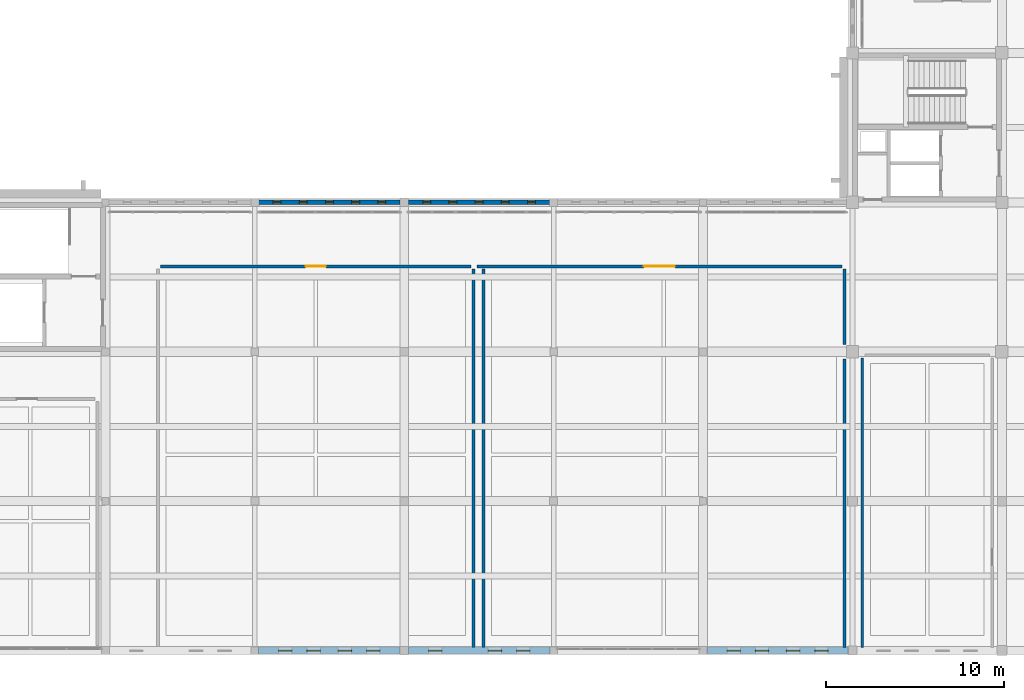
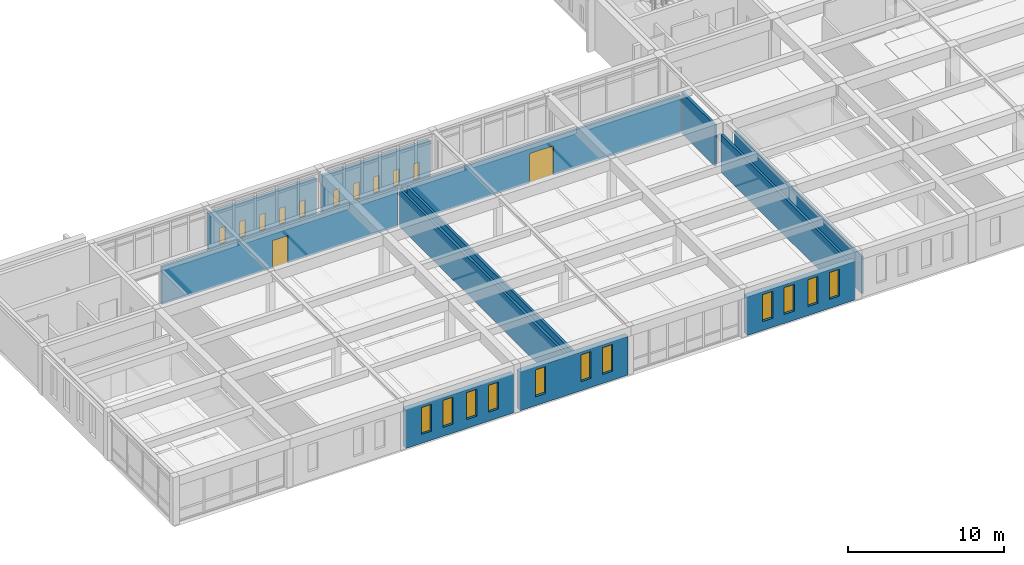
# One storey, part 85 of 110: 21 windows, 12 walls, 2 doors, 23 openings.
"""IFC4 building model written with IfcOpenShell, lengths in metres."""

import ifcopenshell
import ifcopenshell.guid

model = None  # the IFC model being written
_history = None  # IfcOwnerHistory: only IFC2X3 demands one
_inside = {}  # id of a spatial element -> (the spatial element, [elements in it])
_under = {}  # id of a project, library or spatial element -> (it, [spatial elements below it])
_declared = {}  # id of a project -> (the project, [libraries it declares])
_typed = {}  # id of a type object -> (the type object, [elements of that type])
_made_of = {}  # id of a material, layer set ... -> (it, [elements and type objects made of it])


def new_model(schema):
    """Start an empty IFC model of exactly this schema.

    Asked for "IFC4X3", IfcOpenShell would pick the latest addendum, in which some entities
    have other attributes; the version numbers below select the first issue.
    IFC2X3 requires an IfcOwnerHistory on every rooted entity: one is made here for all.
    """
    global model, _history
    if schema == "IFC4X3":
        model = ifcopenshell.file(schema_version=(4, 3, 0, 0))
    else:
        model = ifcopenshell.file(schema=schema)
    _inside.clear()
    _under.clear()
    _declared.clear()
    _typed.clear()
    _made_of.clear()
    _history = None
    if model.schema == "IFC2X3":
        org = make("IfcOrganization", Name="unknown")
        user = make(
            "IfcPersonAndOrganization",
            ThePerson=make("IfcPerson", FamilyName="unknown"),
            TheOrganization=org,
        )
        app = make(
            "IfcApplication",
            ApplicationDeveloper=org,
            Version="unknown",
            ApplicationFullName="unknown",
            ApplicationIdentifier="unknown",
        )
        _history = make(
            "IfcOwnerHistory",
            OwningUser=user,
            OwningApplication=app,
            ChangeAction="ADDED",
            CreationDate=0,
        )
    return model


def make(cls, **values):
    """One entity of the class cls with the attributes given. An attribute that is None is left unset."""
    return model.create_entity(
        cls, **{name: value for name, value in values.items() if value is not None}
    )


def rooted(cls, **values):
    """An entity with a GlobalId (a new one), such as an element, a storey or a relation."""
    return make(cls, GlobalId=ifcopenshell.guid.new(), OwnerHistory=_history, **values)


def si_unit(unit_type, name, prefix=None):
    """IfcSIUnit, for example si_unit("LENGTHUNIT", "METRE", prefix="MILLI")."""
    return make("IfcSIUnit", UnitType=unit_type, Prefix=prefix, Name=name)


def assignment(units):
    """IfcUnitAssignment: the units of a project."""
    return None if units is None else make("IfcUnitAssignment", Units=units)


def point(xyz):
    """IfcCartesianPoint."""
    return None if xyz is None else make("IfcCartesianPoint", Coordinates=xyz)


def direction(xyz):
    """IfcDirection."""
    return None if xyz is None else make("IfcDirection", DirectionRatios=xyz)


def frame(location, z_axis=None, x_axis=None):
    """IfcAxis2Placement3D, a coordinate frame: its origin and axes. An axis left out is left unset."""
    return make(
        "IfcAxis2Placement3D",
        Location=point(location),
        Axis=direction(z_axis),
        RefDirection=direction(x_axis),
    )


def frame_2d(location, x_axis=None):
    """IfcAxis2Placement2D, a coordinate frame in the plane: its origin and x axis."""
    return make(
        "IfcAxis2Placement2D", Location=point(location), RefDirection=direction(x_axis)
    )


def origin():
    """The frame at (0, 0, 0) with its axes left unset."""
    return frame((0.0, 0.0, 0.0))


def place(relative_to, where):
    """IfcLocalPlacement: puts the frame where relative to a parent placement (None: the world)."""
    return make(
        "IfcLocalPlacement", PlacementRelTo=relative_to, RelativePlacement=where
    )


def context(
    kind, dimensions, precision=None, world=None, true_north=None, identifier=None
):
    """IfcGeometricRepresentationContext, for example the 3D "Model" context."""
    return make(
        "IfcGeometricRepresentationContext",
        ContextIdentifier=identifier,
        ContextType=kind,
        CoordinateSpaceDimension=dimensions,
        Precision=precision,
        WorldCoordinateSystem=world,
        TrueNorth=true_north,
    )


def subcontext(parent, identifier, kind, view, scale=None):
    """IfcGeometricRepresentationSubContext, for example "Body" below "Model"."""
    return make(
        "IfcGeometricRepresentationSubContext",
        ContextIdentifier=identifier,
        ContextType=kind,
        ParentContext=parent,
        TargetScale=scale,
        TargetView=view,
    )


def project(units=None, contexts=None):
    """IfcProject with its units and contexts."""
    return rooted(
        "IfcProject",
        Name="project",
        RepresentationContexts=contexts,
        UnitsInContext=assignment(units),
    )


def spatial(cls, under=None, at=None, **own):
    """A site, building, storey or space (cls), placed at a placement, below another one or the project."""
    s = rooted(cls, ObjectPlacement=at, **own)
    if under is not None:
        _under.setdefault(under.id(), (under, []))[1].append(s)
    return s


def profile(cls, at=None, kind="AREA", **sizes):
    """A parametric profile (cls). Its sizes go by their IFC names, for example OverallWidth=200.0."""
    return make(cls, ProfileType=kind, Position=at, **sizes)


def rectangle(**sizes):
    """IfcRectangleProfileDef."""
    return profile("IfcRectangleProfileDef", **sizes)


def extrude(swept, where, along, depth):
    """IfcExtrudedAreaSolid: the profile swept, set in the frame where, extruded along a direction by depth."""
    return make(
        "IfcExtrudedAreaSolid",
        SweptArea=swept,
        Position=where,
        ExtrudedDirection=direction(along),
        Depth=depth,
    )


def shape(context_of_items, identifier, shape_type, items):
    """IfcShapeRepresentation: the items that make up one representation, for example the "Body"."""
    return make(
        "IfcShapeRepresentation",
        ContextOfItems=context_of_items,
        RepresentationIdentifier=identifier,
        RepresentationType=shape_type,
        Items=items,
    )


def material(Name=None, Category=None):
    """IfcMaterial."""
    return make("IfcMaterial", Name=Name, Category=Category)


def layer(
    of_material, thickness, ventilated=None, Name=None, Category=None, Priority=None
):
    """IfcMaterialLayer: one layer of a wall or slab, of a material (None: an air gap)."""
    return make(
        "IfcMaterialLayer",
        Material=of_material,
        LayerThickness=thickness,
        IsVentilated=ventilated,
        Name=Name,
        Category=Category,
        Priority=Priority,
    )


def layer_set(layers, Name=None):
    """IfcMaterialLayerSet."""
    return make("IfcMaterialLayerSet", MaterialLayers=layers, LayerSetName=Name)


def made_of(thing, what):
    """Note that an element or type object is made of a material, layer set ...; save() writes the relation."""
    if what is not None:
        _made_of.setdefault(what.id(), (what, []))[1].append(thing)
    return thing


def type_object(cls, material=None, **own):
    """A type object (cls), such as IfcWallType, which elements share."""
    return made_of(rooted(cls, **own), material)


def element(
    cls,
    number,
    at=None,
    inside=None,
    cuts=None,
    type_object=None,
    material=None,
    context=None,
    identifier="Body",
    shape_type=None,
    held_by="IfcProductDefinitionShape",
    body=None,
    shapes=None,
    **own,
):
    """One element of the class cls, such as IfcWall. Its Tag is "e" and its number.

    at: its placement. inside: the storey or other place that contains it. cuts: it is an
    opening in that element (IfcRelVoidsElement). A single representation is given by context,
    identifier, shape_type and body (its items); several are given by shapes. held_by: the class
    of the entity that holds the representations. save() writes the other relations.
    """
    e = rooted(cls, Tag="e%d" % number, ObjectPlacement=at, **own)
    if body is not None:
        shapes = [shape(context, identifier, shape_type, body)]
    if shapes is not None:
        e.Representation = make(held_by, Representations=shapes)
    if inside is not None:
        _inside.setdefault(inside.id(), (inside, []))[1].append(e)
    if cuts is not None:
        rooted(
            "IfcRelVoidsElement", RelatingBuildingElement=cuts, RelatedOpeningElement=e
        )
    if type_object is not None:
        _typed.setdefault(type_object.id(), (type_object, []))[1].append(e)
    return made_of(e, material)


def fill(opening, filler):
    """IfcRelFillsElement: the door or window that sits in an opening."""
    return rooted(
        "IfcRelFillsElement",
        RelatingOpeningElement=opening,
        RelatedBuildingElement=filler,
    )


def aggregate(whole, parts):
    """IfcRelAggregates: a whole, such as a stair, and the parts it consists of."""
    return rooted("IfcRelAggregates", RelatingObject=whole, RelatedObjects=parts)


def save(model, path):
    """Write the relations noted so far, then the file.

    IfcRelAggregates (storeys below a building ...), IfcRelContainedInSpatialStructure (elements
    in a storey), IfcRelDefinesByType, IfcRelAssociatesMaterial and IfcRelDeclares: one each for
    every whole, place, type object, material and project.
    """
    for whole, parts in _under.values():
        aggregate(whole, parts)
    for where, things in _inside.values():
        rooted(
            "IfcRelContainedInSpatialStructure",
            RelatedElements=things,
            RelatingStructure=where,
        )
    for kind, things in _typed.values():
        rooted("IfcRelDefinesByType", RelatedObjects=things, RelatingType=kind)
    for what, things in _made_of.values():
        rooted("IfcRelAssociatesMaterial", RelatedObjects=things, RelatingMaterial=what)
    for by, libraries in _declared.values():
        rooted("IfcRelDeclares", RelatingContext=by, RelatedDefinitions=libraries)
    model.write(path)


model = new_model("IFC4")

# Units and contexts
model_context = context("Model", 3, precision=1e-05, world=origin(), true_north=direction((0.0, 1.0)))
body_context = subcontext(model_context, "Body", "Model", "MODEL_VIEW")
ifc_project = project(units=[si_unit("LENGTHUNIT", "METRE"), si_unit("AREAUNIT", "SQUARE_METRE"), si_unit("VOLUMEUNIT", "CUBIC_METRE"), si_unit("PLANEANGLEUNIT", "RADIAN"), si_unit("MASSUNIT", "GRAM", prefix="KILO")], contexts=[model_context])

# Site, building, storey
site_placement = place(None, origin())
site = spatial("IfcSite", under=ifc_project, at=site_placement, CompositionType="ELEMENT")
building_placement = place(site_placement, origin())
building = spatial("IfcBuilding", under=site, at=building_placement, Name="Kveldsbrygga Polytechnic", CompositionType="ELEMENT")
storey_placement = place(building_placement, frame((0.0, 0.0, 9.860107421875)))
storey = spatial("IfcBuildingStorey", under=building, at=storey_placement, Name="L02", CompositionType="ELEMENT", Elevation=9.860107421875)

# Wall, openings, windows
ifc_material_1 = material(Name="Fired clay brick masonry M10", Category="masonry")
ifc_layer_1 = layer(ifc_material_1, 0.3798828125)
ifc_layer_set_1 = layer_set([ifc_layer_1], Name="Fired clay brick masonry M10")
wall_type_1 = type_object("IfcWallType", Name="EW-BRICK-380", PredefinedType="SOLIDWALL", material=ifc_layer_set_1)
wall_1_placement = place(storey_placement, frame((92.594970703125, 0.0, 0.0), z_axis=(0.0, 0.0, 1.0), x_axis=(1.0, 0.0, 0.0)))
wall_1 = element("IfcWall", 1, at=wall_1_placement, inside=storey, type_object=wall_type_1, Name="Exterior Brick Wall EW-L02-X-11-00", PredefinedType="SOLIDWALL", context=body_context, shape_type="SweptSolid", body=[
    extrude(rectangle(XDim=7.97998046875, YDim=0.3798828125, at=frame_2d((3.989990234375, 0.0))), origin(), (0.0, 0.0, 1.0), 3.019775390625),
])
opening_1_placement = place(wall_1_placement, frame((1.14111328125, 0.0, 0.699951171875)))
opening_1 = element("IfcOpeningElement", 2, at=opening_1_placement, cuts=wall_1, Name="Opening W-27", PredefinedType="OPENING", context=body_context, shape_type="SweptSolid", body=[
    extrude(rectangle(XDim=0.75, YDim=2.10009765625, at=frame_2d((0.375, 1.050048828125))), frame((0.0, 0.199951171875, 0.0), z_axis=(0.0, -1.0, 0.0), x_axis=(1.0, 0.0, 0.0)), (0.0, 0.0, 1.0), 0.39990234375),
])
opening_2_placement = place(wall_1_placement, frame((2.7373046875, 0.0, 0.699951171875)))
opening_2 = element("IfcOpeningElement", 3, at=opening_2_placement, cuts=wall_1, Name="Opening W-27", PredefinedType="OPENING", context=body_context, shape_type="SweptSolid", body=[
    extrude(rectangle(XDim=0.75, YDim=2.10009765625, at=frame_2d((0.375, 1.050048828125))), frame((0.0, 0.199951171875, 0.0), z_axis=(0.0, -1.0, 0.0), x_axis=(1.0, 0.0, 0.0)), (0.0, 0.0, 1.0), 0.39990234375),
])
opening_3_placement = place(wall_1_placement, frame((4.492919921875, 0.0, 0.699951171875)))
opening_3 = element("IfcOpeningElement", 4, at=opening_3_placement, cuts=wall_1, Name="Opening W-27", PredefinedType="OPENING", context=body_context, shape_type="SweptSolid", body=[
    extrude(rectangle(XDim=0.75, YDim=2.10009765625, at=frame_2d((0.375, 1.050048828125))), frame((0.0, 0.199951171875, 0.0), z_axis=(0.0, -1.0, 0.0), x_axis=(1.0, 0.0, 0.0)), (0.0, 0.0, 1.0), 0.39990234375),
])
opening_4_placement = place(wall_1_placement, frame((6.0888671875, 0.0, 0.699951171875)))
opening_4 = element("IfcOpeningElement", 5, at=opening_4_placement, cuts=wall_1, Name="Opening W-27", PredefinedType="OPENING", context=body_context, shape_type="SweptSolid", body=[
    extrude(rectangle(XDim=0.75, YDim=2.10009765625, at=frame_2d((0.375, 1.050048828125))), frame((0.0, 0.199951171875, 0.0), z_axis=(0.0, -1.0, 0.0), x_axis=(1.0, 0.0, 0.0)), (0.0, 0.0, 1.0), 0.39990234375),
])
ifc_material_2 = material(Name="Insulated triple low-E glass", Category="glass")
window_type_1 = type_object("IfcWindowType", Name="WN-ATTIC-075x210", PartitioningType="DOUBLE_PANEL_VERTICAL", PredefinedType="WINDOW", material=ifc_material_2)
window_1_placement = place(opening_1_placement, origin())
window_1 = element("IfcWindow", 6, at=window_1_placement, inside=storey, type_object=window_type_1, Name="Gothic Lancet Window WIN-L02-X-11-00-1", OverallHeight=2.10009765625, OverallWidth=0.75, PartitioningType="DOUBLE_PANEL_VERTICAL", PredefinedType="WINDOW", context=body_context, shape_type="SweptSolid", body=[
    extrude(rectangle(XDim=0.75, YDim=2.10009765625, at=frame_2d((0.375, 1.050048828125))), frame((0.0, 0.030029296875, 0.0), z_axis=(0.0, -1.0, 0.0), x_axis=(1.0, 0.0, 0.0)), (0.0, 0.0, 1.0), 0.06005859375),
])
fill(opening_1, window_1)
window_2_placement = place(opening_2_placement, origin())
window_2 = element("IfcWindow", 7, at=window_2_placement, inside=storey, type_object=window_type_1, Name="Gothic Lancet Window WIN-L02-X-11-00-2", OverallHeight=2.10009765625, OverallWidth=0.75, PartitioningType="DOUBLE_PANEL_VERTICAL", PredefinedType="WINDOW", context=body_context, shape_type="SweptSolid", body=[
    extrude(rectangle(XDim=0.75, YDim=2.10009765625, at=frame_2d((0.375, 1.050048828125))), frame((0.0, 0.030029296875, 0.0), z_axis=(0.0, -1.0, 0.0), x_axis=(1.0, 0.0, 0.0)), (0.0, 0.0, 1.0), 0.06005859375),
])
fill(opening_2, window_2)
window_3_placement = place(opening_3_placement, origin())
window_3 = element("IfcWindow", 8, at=window_3_placement, inside=storey, type_object=window_type_1, Name="Gothic Lancet Window WIN-L02-X-11-00-3", OverallHeight=2.10009765625, OverallWidth=0.75, PartitioningType="DOUBLE_PANEL_VERTICAL", PredefinedType="WINDOW", context=body_context, shape_type="SweptSolid", body=[
    extrude(rectangle(XDim=0.75, YDim=2.10009765625, at=frame_2d((0.375, 1.050048828125))), frame((0.0, 0.030029296875, 0.0), z_axis=(0.0, -1.0, 0.0), x_axis=(1.0, 0.0, 0.0)), (0.0, 0.0, 1.0), 0.06005859375),
])
fill(opening_3, window_3)
window_4_placement = place(opening_4_placement, origin())
window_4 = element("IfcWindow", 9, at=window_4_placement, inside=storey, type_object=window_type_1, Name="Gothic Lancet Window WIN-L02-X-11-00-4", OverallHeight=2.10009765625, OverallWidth=0.75, PartitioningType="DOUBLE_PANEL_VERTICAL", PredefinedType="WINDOW", context=body_context, shape_type="SweptSolid", body=[
    extrude(rectangle(XDim=0.75, YDim=2.10009765625, at=frame_2d((0.375, 1.050048828125))), frame((0.0, 0.030029296875, 0.0), z_axis=(0.0, -1.0, 0.0), x_axis=(1.0, 0.0, 0.0)), (0.0, 0.0, 1.0), 0.06005859375),
])
fill(opening_4, window_4)

ifc_layer_2 = layer(ifc_material_1, 0.39990234375)
ifc_layer_set_2 = layer_set([ifc_layer_2], Name="Fired clay brick masonry M10")
wall_type_2 = type_object("IfcWallType", Name="EW-BRICK-400", PredefinedType="SOLIDWALL", material=ifc_layer_set_2)
wall_2_placement = place(storey_placement, frame((101.02490234375, 0.0, 0.0), z_axis=(0.0, 0.0, 1.0), x_axis=(1.0, 0.0, 0.0)))
wall_2 = element("IfcWall", 10, at=wall_2_placement, inside=storey, type_object=wall_type_2, Name="Exterior Brick Wall EW-L02-X-12-00", PredefinedType="SOLIDWALL", context=body_context, shape_type="SweptSolid", body=[
    extrude(rectangle(XDim=7.97998046875, YDim=0.39990234375, at=frame_2d((3.989990234375, 0.0))), origin(), (0.0, 0.0, 1.0), 3.019775390625),
])
opening_5_placement = place(wall_2_placement, frame((1.14111328125, 0.0, 0.699951171875)))
opening_5 = element("IfcOpeningElement", 11, at=opening_5_placement, cuts=wall_2, Name="Opening W-27", PredefinedType="OPENING", context=body_context, shape_type="SweptSolid", body=[
    extrude(rectangle(XDim=0.75, YDim=2.10009765625, at=frame_2d((0.375, 1.050048828125))), frame((0.0, 0.2099609375, 0.0), z_axis=(0.0, -1.0, 0.0), x_axis=(1.0, 0.0, 0.0)), (0.0, 0.0, 1.0), 0.419921875),
])
opening_6_placement = place(wall_2_placement, frame((4.492919921875, 0.0, 0.699951171875)))
opening_6 = element("IfcOpeningElement", 12, at=opening_6_placement, cuts=wall_2, Name="Opening W-27", PredefinedType="OPENING", context=body_context, shape_type="SweptSolid", body=[
    extrude(rectangle(XDim=0.75, YDim=2.10009765625, at=frame_2d((0.375, 1.050048828125))), frame((0.0, 0.2099609375, 0.0), z_axis=(0.0, -1.0, 0.0), x_axis=(1.0, 0.0, 0.0)), (0.0, 0.0, 1.0), 0.419921875),
])
opening_7_placement = place(wall_2_placement, frame((6.0888671875, 0.0, 0.699951171875)))
opening_7 = element("IfcOpeningElement", 13, at=opening_7_placement, cuts=wall_2, Name="Opening W-27", PredefinedType="OPENING", context=body_context, shape_type="SweptSolid", body=[
    extrude(rectangle(XDim=0.75, YDim=2.10009765625, at=frame_2d((0.375, 1.050048828125))), frame((0.0, 0.2099609375, 0.0), z_axis=(0.0, -1.0, 0.0), x_axis=(1.0, 0.0, 0.0)), (0.0, 0.0, 1.0), 0.419921875),
])
window_5_placement = place(opening_5_placement, origin())
window_5 = element("IfcWindow", 14, at=window_5_placement, inside=storey, type_object=window_type_1, Name="Gothic Lancet Window WIN-L02-X-12-00-1", OverallHeight=2.10009765625, OverallWidth=0.75, PartitioningType="DOUBLE_PANEL_VERTICAL", PredefinedType="WINDOW", context=body_context, shape_type="SweptSolid", body=[
    extrude(rectangle(XDim=0.75, YDim=2.10009765625, at=frame_2d((0.375, 1.050048828125))), frame((0.0, 0.030029296875, 0.0), z_axis=(0.0, -1.0, 0.0), x_axis=(1.0, 0.0, 0.0)), (0.0, 0.0, 1.0), 0.06005859375),
])
fill(opening_5, window_5)
window_6_placement = place(opening_6_placement, origin())
window_6 = element("IfcWindow", 15, at=window_6_placement, inside=storey, type_object=window_type_1, Name="Gothic Lancet Window WIN-L02-X-12-00-3", OverallHeight=2.10009765625, OverallWidth=0.75, PartitioningType="DOUBLE_PANEL_VERTICAL", PredefinedType="WINDOW", context=body_context, shape_type="SweptSolid", body=[
    extrude(rectangle(XDim=0.75, YDim=2.10009765625, at=frame_2d((0.375, 1.050048828125))), frame((0.0, 0.030029296875, 0.0), z_axis=(0.0, -1.0, 0.0), x_axis=(1.0, 0.0, 0.0)), (0.0, 0.0, 1.0), 0.06005859375),
])
fill(opening_6, window_6)
window_7_placement = place(opening_7_placement, origin())
window_7 = element("IfcWindow", 16, at=window_7_placement, inside=storey, type_object=window_type_1, Name="Gothic Lancet Window WIN-L02-X-12-00-4", OverallHeight=2.10009765625, OverallWidth=0.75, PartitioningType="DOUBLE_PANEL_VERTICAL", PredefinedType="WINDOW", context=body_context, shape_type="SweptSolid", body=[
    extrude(rectangle(XDim=0.75, YDim=2.10009765625, at=frame_2d((0.375, 1.050048828125))), frame((0.0, 0.030029296875, 0.0), z_axis=(0.0, -1.0, 0.0), x_axis=(1.0, 0.0, 0.0)), (0.0, 0.0, 1.0), 0.06005859375),
])
fill(opening_7, window_7)

wall_3_placement = place(storey_placement, frame((117.81005859375, 0.0, 0.0), z_axis=(0.0, 0.0, 1.0), x_axis=(1.0, 0.0, 0.0)))
wall_3 = element("IfcWall", 17, at=wall_3_placement, inside=storey, type_object=wall_type_2, Name="Exterior Brick Wall EW-L02-X-14-00", PredefinedType="SOLIDWALL", context=body_context, shape_type="SweptSolid", body=[
    extrude(rectangle(XDim=7.954833984375, YDim=0.39990234375, at=frame_2d((3.9775390625, 0.0))), origin(), (0.0, 0.0, 1.0), 3.019775390625),
])
opening_8_placement = place(wall_3_placement, frame((1.136474609375, 0.0, 0.699951171875)))
opening_8 = element("IfcOpeningElement", 18, at=opening_8_placement, cuts=wall_3, Name="Opening W-27", PredefinedType="OPENING", context=body_context, shape_type="SweptSolid", body=[
    extrude(rectangle(XDim=0.75, YDim=2.10009765625, at=frame_2d((0.375, 1.050048828125))), frame((0.0, 0.2099609375, 0.0), z_axis=(0.0, -1.0, 0.0), x_axis=(1.0, 0.0, 0.0)), (0.0, 0.0, 1.0), 0.419921875),
])
opening_9_placement = place(wall_3_placement, frame((2.7275390625, 0.0, 0.699951171875)))
opening_9 = element("IfcOpeningElement", 19, at=opening_9_placement, cuts=wall_3, Name="Opening W-27", PredefinedType="OPENING", context=body_context, shape_type="SweptSolid", body=[
    extrude(rectangle(XDim=0.75, YDim=2.10009765625, at=frame_2d((0.375, 1.050048828125))), frame((0.0, 0.2099609375, 0.0), z_axis=(0.0, -1.0, 0.0), x_axis=(1.0, 0.0, 0.0)), (0.0, 0.0, 1.0), 0.419921875),
])
opening_10_placement = place(wall_3_placement, frame((4.4775390625, 0.0, 0.699951171875)))
opening_10 = element("IfcOpeningElement", 20, at=opening_10_placement, cuts=wall_3, Name="Opening W-27", PredefinedType="OPENING", context=body_context, shape_type="SweptSolid", body=[
    extrude(rectangle(XDim=0.75, YDim=2.10009765625, at=frame_2d((0.375, 1.050048828125))), frame((0.0, 0.2099609375, 0.0), z_axis=(0.0, -1.0, 0.0), x_axis=(1.0, 0.0, 0.0)), (0.0, 0.0, 1.0), 0.419921875),
])
opening_11_placement = place(wall_3_placement, frame((6.068603515625, 0.0, 0.699951171875)))
opening_11 = element("IfcOpeningElement", 21, at=opening_11_placement, cuts=wall_3, Name="Opening W-27", PredefinedType="OPENING", context=body_context, shape_type="SweptSolid", body=[
    extrude(rectangle(XDim=0.75, YDim=2.10009765625, at=frame_2d((0.375, 1.050048828125))), frame((0.0, 0.2099609375, 0.0), z_axis=(0.0, -1.0, 0.0), x_axis=(1.0, 0.0, 0.0)), (0.0, 0.0, 1.0), 0.419921875),
])
window_8_placement = place(opening_8_placement, origin())
window_8 = element("IfcWindow", 22, at=window_8_placement, inside=storey, type_object=window_type_1, Name="Gothic Lancet Window WIN-L02-X-14-00-1", OverallHeight=2.10009765625, OverallWidth=0.75, PartitioningType="DOUBLE_PANEL_VERTICAL", PredefinedType="WINDOW", context=body_context, shape_type="SweptSolid", body=[
    extrude(rectangle(XDim=0.75, YDim=2.10009765625, at=frame_2d((0.375, 1.050048828125))), frame((0.0, 0.030029296875, 0.0), z_axis=(0.0, -1.0, 0.0), x_axis=(1.0, 0.0, 0.0)), (0.0, 0.0, 1.0), 0.06005859375),
])
fill(opening_8, window_8)
window_9_placement = place(opening_9_placement, origin())
window_9 = element("IfcWindow", 23, at=window_9_placement, inside=storey, type_object=window_type_1, Name="Gothic Lancet Window WIN-L02-X-14-00-2", OverallHeight=2.10009765625, OverallWidth=0.75, PartitioningType="DOUBLE_PANEL_VERTICAL", PredefinedType="WINDOW", context=body_context, shape_type="SweptSolid", body=[
    extrude(rectangle(XDim=0.75, YDim=2.10009765625, at=frame_2d((0.375, 1.050048828125))), frame((0.0, 0.030029296875, 0.0), z_axis=(0.0, -1.0, 0.0), x_axis=(1.0, 0.0, 0.0)), (0.0, 0.0, 1.0), 0.06005859375),
])
fill(opening_9, window_9)
window_10_placement = place(opening_10_placement, origin())
window_10 = element("IfcWindow", 24, at=window_10_placement, inside=storey, type_object=window_type_1, Name="Gothic Lancet Window WIN-L02-X-14-00-3", OverallHeight=2.10009765625, OverallWidth=0.75, PartitioningType="DOUBLE_PANEL_VERTICAL", PredefinedType="WINDOW", context=body_context, shape_type="SweptSolid", body=[
    extrude(rectangle(XDim=0.75, YDim=2.10009765625, at=frame_2d((0.375, 1.050048828125))), frame((0.0, 0.030029296875, 0.0), z_axis=(0.0, -1.0, 0.0), x_axis=(1.0, 0.0, 0.0)), (0.0, 0.0, 1.0), 0.06005859375),
])
fill(opening_10, window_10)
window_11_placement = place(opening_11_placement, origin())
window_11 = element("IfcWindow", 25, at=window_11_placement, inside=storey, type_object=window_type_1, Name="Gothic Lancet Window WIN-L02-X-14-00-4", OverallHeight=2.10009765625, OverallWidth=0.75, PartitioningType="DOUBLE_PANEL_VERTICAL", PredefinedType="WINDOW", context=body_context, shape_type="SweptSolid", body=[
    extrude(rectangle(XDim=0.75, YDim=2.10009765625, at=frame_2d((0.375, 1.050048828125))), frame((0.0, 0.030029296875, 0.0), z_axis=(0.0, -1.0, 0.0), x_axis=(1.0, 0.0, 0.0)), (0.0, 0.0, 1.0), 0.06005859375),
])
fill(opening_11, window_11)

ifc_layer_3 = layer(ifc_material_1, 0.239990234375)
ifc_layer_set_3 = layer_set([ifc_layer_3], Name="Fired clay brick masonry M10")
wall_type_3 = type_object("IfcWallType", Name="EW-SCRN-240", PredefinedType="SOLIDWALL", material=ifc_layer_set_3)
wall_4_placement = place(storey_placement, frame((92.610107421875, 25.199951171875, 0.0), z_axis=(0.0, 0.0, 1.0), x_axis=(1.0, 0.0, 0.0)))
wall_4 = element("IfcWall", 26, at=wall_4_placement, inside=storey, type_object=wall_type_3, Name="Perforated Brick Corridor Screen Wall SCRW-L02-X-11-03", PredefinedType="SOLIDWALL", context=body_context, shape_type="SweptSolid", body=[
    extrude(rectangle(XDim=7.96484375, YDim=0.239990234375, at=frame_2d((3.982421875, 0.0))), origin(), (0.0, 0.0, 1.0), 3.010009765625),
])
opening_12_placement = place(wall_4_placement, frame((0.81640625, 0.0, 0.35009765625)))
opening_12 = element("IfcOpeningElement", 27, at=opening_12_placement, cuts=wall_4, Name="Opening W-48", PredefinedType="OPENING", context=body_context, shape_type="SweptSolid", body=[
    extrude(rectangle(XDim=0.43994140625, YDim=1.25, at=frame_2d((0.219970703125, 0.625))), frame((0.0, 0.1298828125, 0.0), z_axis=(0.0, -1.0, 0.0), x_axis=(1.0, 0.0, 0.0)), (0.0, 0.0, 1.0), 0.260009765625),
])
opening_13_placement = place(wall_4_placement, frame((2.28955078125, 0.0, 0.35009765625)))
opening_13 = element("IfcOpeningElement", 28, at=opening_13_placement, cuts=wall_4, Name="Opening W-48", PredefinedType="OPENING", context=body_context, shape_type="SweptSolid", body=[
    extrude(rectangle(XDim=0.43994140625, YDim=1.25, at=frame_2d((0.219970703125, 0.625))), frame((0.0, 0.1298828125, 0.0), z_axis=(0.0, -1.0, 0.0), x_axis=(1.0, 0.0, 0.0)), (0.0, 0.0, 1.0), 0.260009765625),
])
opening_14_placement = place(wall_4_placement, frame((3.762451171875, 0.0, 0.35009765625)))
opening_14 = element("IfcOpeningElement", 29, at=opening_14_placement, cuts=wall_4, Name="Opening W-48", PredefinedType="OPENING", context=body_context, shape_type="SweptSolid", body=[
    extrude(rectangle(XDim=0.43994140625, YDim=1.25, at=frame_2d((0.219970703125, 0.625))), frame((0.0, 0.1298828125, 0.0), z_axis=(0.0, -1.0, 0.0), x_axis=(1.0, 0.0, 0.0)), (0.0, 0.0, 1.0), 0.260009765625),
])
opening_15_placement = place(wall_4_placement, frame((5.235595703125, 0.0, 0.35009765625)))
opening_15 = element("IfcOpeningElement", 30, at=opening_15_placement, cuts=wall_4, Name="Opening W-48", PredefinedType="OPENING", context=body_context, shape_type="SweptSolid", body=[
    extrude(rectangle(XDim=0.43994140625, YDim=1.25, at=frame_2d((0.219970703125, 0.625))), frame((0.0, 0.1298828125, 0.0), z_axis=(0.0, -1.0, 0.0), x_axis=(1.0, 0.0, 0.0)), (0.0, 0.0, 1.0), 0.260009765625),
])
opening_16_placement = place(wall_4_placement, frame((6.70849609375, 0.0, 0.35009765625)))
opening_16 = element("IfcOpeningElement", 31, at=opening_16_placement, cuts=wall_4, Name="Opening W-48", PredefinedType="OPENING", context=body_context, shape_type="SweptSolid", body=[
    extrude(rectangle(XDim=0.43994140625, YDim=1.25, at=frame_2d((0.219970703125, 0.625))), frame((0.0, 0.1298828125, 0.0), z_axis=(0.0, -1.0, 0.0), x_axis=(1.0, 0.0, 0.0)), (0.0, 0.0, 1.0), 0.260009765625),
])
window_type_2 = type_object("IfcWindowType", Name="WN-SCRN-044x125", PartitioningType="SINGLE_PANEL", PredefinedType="WINDOW", material=ifc_material_2)
window_12_placement = place(opening_12_placement, origin())
window_12 = element("IfcWindow", 32, at=window_12_placement, inside=storey, type_object=window_type_2, Name="Perforated Screen Aperture L02-X-11-03-1", OverallHeight=1.25, OverallWidth=0.43994140625, PartitioningType="SINGLE_PANEL", PredefinedType="WINDOW", context=body_context, shape_type="SweptSolid", body=[
    extrude(rectangle(XDim=0.43994140625, YDim=1.25, at=frame_2d((0.219970703125, 0.625))), frame((0.0, 0.030029296875, 0.0), z_axis=(0.0, -1.0, 0.0), x_axis=(1.0, 0.0, 0.0)), (0.0, 0.0, 1.0), 0.06005859375),
])
fill(opening_12, window_12)
window_13_placement = place(opening_13_placement, origin())
window_13 = element("IfcWindow", 33, at=window_13_placement, inside=storey, type_object=window_type_2, Name="Perforated Screen Aperture L02-X-11-03-2", OverallHeight=1.25, OverallWidth=0.43994140625, PartitioningType="SINGLE_PANEL", PredefinedType="WINDOW", context=body_context, shape_type="SweptSolid", body=[
    extrude(rectangle(XDim=0.43994140625, YDim=1.25, at=frame_2d((0.219970703125, 0.625))), frame((0.0, 0.030029296875, 0.0), z_axis=(0.0, -1.0, 0.0), x_axis=(1.0, 0.0, 0.0)), (0.0, 0.0, 1.0), 0.06005859375),
])
fill(opening_13, window_13)
window_14_placement = place(opening_14_placement, origin())
window_14 = element("IfcWindow", 34, at=window_14_placement, inside=storey, type_object=window_type_2, Name="Perforated Screen Aperture L02-X-11-03-3", OverallHeight=1.25, OverallWidth=0.43994140625, PartitioningType="SINGLE_PANEL", PredefinedType="WINDOW", context=body_context, shape_type="SweptSolid", body=[
    extrude(rectangle(XDim=0.43994140625, YDim=1.25, at=frame_2d((0.219970703125, 0.625))), frame((0.0, 0.030029296875, 0.0), z_axis=(0.0, -1.0, 0.0), x_axis=(1.0, 0.0, 0.0)), (0.0, 0.0, 1.0), 0.06005859375),
])
fill(opening_14, window_14)
window_15_placement = place(opening_15_placement, origin())
window_15 = element("IfcWindow", 35, at=window_15_placement, inside=storey, type_object=window_type_2, Name="Perforated Screen Aperture L02-X-11-03-4", OverallHeight=1.25, OverallWidth=0.43994140625, PartitioningType="SINGLE_PANEL", PredefinedType="WINDOW", context=body_context, shape_type="SweptSolid", body=[
    extrude(rectangle(XDim=0.43994140625, YDim=1.25, at=frame_2d((0.219970703125, 0.625))), frame((0.0, 0.030029296875, 0.0), z_axis=(0.0, -1.0, 0.0), x_axis=(1.0, 0.0, 0.0)), (0.0, 0.0, 1.0), 0.06005859375),
])
fill(opening_15, window_15)
window_16_placement = place(opening_16_placement, origin())
window_16 = element("IfcWindow", 36, at=window_16_placement, inside=storey, type_object=window_type_2, Name="Perforated Screen Aperture L02-X-11-03-5", OverallHeight=1.25, OverallWidth=0.43994140625, PartitioningType="SINGLE_PANEL", PredefinedType="WINDOW", context=body_context, shape_type="SweptSolid", body=[
    extrude(rectangle(XDim=0.43994140625, YDim=1.25, at=frame_2d((0.219970703125, 0.625))), frame((0.0, 0.030029296875, 0.0), z_axis=(0.0, -1.0, 0.0), x_axis=(1.0, 0.0, 0.0)), (0.0, 0.0, 1.0), 0.06005859375),
])
fill(opening_16, window_16)

wall_5_placement = place(storey_placement, frame((101.02490234375, 25.199951171875, 0.0), z_axis=(0.0, 0.0, 1.0), x_axis=(1.0, 0.0, 0.0)))
wall_5 = element("IfcWall", 37, at=wall_5_placement, inside=storey, type_object=wall_type_3, Name="Perforated Brick Corridor Screen Wall SCRW-L02-X-12-03", PredefinedType="SOLIDWALL", context=body_context, shape_type="SweptSolid", body=[
    extrude(rectangle(XDim=7.965087890625, YDim=0.239990234375, at=frame_2d((3.982421875, 0.0))), origin(), (0.0, 0.0, 1.0), 3.010009765625),
])
opening_17_placement = place(wall_5_placement, frame((0.81640625, 0.0, 0.35009765625)))
opening_17 = element("IfcOpeningElement", 38, at=opening_17_placement, cuts=wall_5, Name="Opening W-48", PredefinedType="OPENING", context=body_context, shape_type="SweptSolid", body=[
    extrude(rectangle(XDim=0.43994140625, YDim=1.25, at=frame_2d((0.219970703125, 0.625))), frame((0.0, 0.1298828125, 0.0), z_axis=(0.0, -1.0, 0.0), x_axis=(1.0, 0.0, 0.0)), (0.0, 0.0, 1.0), 0.260009765625),
])
opening_18_placement = place(wall_5_placement, frame((2.28955078125, 0.0, 0.35009765625)))
opening_18 = element("IfcOpeningElement", 39, at=opening_18_placement, cuts=wall_5, Name="Opening W-48", PredefinedType="OPENING", context=body_context, shape_type="SweptSolid", body=[
    extrude(rectangle(XDim=0.43994140625, YDim=1.25, at=frame_2d((0.219970703125, 0.625))), frame((0.0, 0.1298828125, 0.0), z_axis=(0.0, -1.0, 0.0), x_axis=(1.0, 0.0, 0.0)), (0.0, 0.0, 1.0), 0.260009765625),
])
opening_19_placement = place(wall_5_placement, frame((3.762451171875, 0.0, 0.35009765625)))
opening_19 = element("IfcOpeningElement", 40, at=opening_19_placement, cuts=wall_5, Name="Opening W-48", PredefinedType="OPENING", context=body_context, shape_type="SweptSolid", body=[
    extrude(rectangle(XDim=0.43994140625, YDim=1.25, at=frame_2d((0.219970703125, 0.625))), frame((0.0, 0.1298828125, 0.0), z_axis=(0.0, -1.0, 0.0), x_axis=(1.0, 0.0, 0.0)), (0.0, 0.0, 1.0), 0.260009765625),
])
opening_20_placement = place(wall_5_placement, frame((5.235595703125, 0.0, 0.35009765625)))
opening_20 = element("IfcOpeningElement", 41, at=opening_20_placement, cuts=wall_5, Name="Opening W-48", PredefinedType="OPENING", context=body_context, shape_type="SweptSolid", body=[
    extrude(rectangle(XDim=0.43994140625, YDim=1.25, at=frame_2d((0.219970703125, 0.625))), frame((0.0, 0.1298828125, 0.0), z_axis=(0.0, -1.0, 0.0), x_axis=(1.0, 0.0, 0.0)), (0.0, 0.0, 1.0), 0.260009765625),
])
opening_21_placement = place(wall_5_placement, frame((6.70849609375, 0.0, 0.35009765625)))
opening_21 = element("IfcOpeningElement", 42, at=opening_21_placement, cuts=wall_5, Name="Opening W-48", PredefinedType="OPENING", context=body_context, shape_type="SweptSolid", body=[
    extrude(rectangle(XDim=0.43994140625, YDim=1.25, at=frame_2d((0.219970703125, 0.625))), frame((0.0, 0.1298828125, 0.0), z_axis=(0.0, -1.0, 0.0), x_axis=(1.0, 0.0, 0.0)), (0.0, 0.0, 1.0), 0.260009765625),
])
window_17_placement = place(opening_17_placement, origin())
window_17 = element("IfcWindow", 43, at=window_17_placement, inside=storey, type_object=window_type_2, Name="Perforated Screen Aperture L02-X-12-03-1", OverallHeight=1.25, OverallWidth=0.43994140625, PartitioningType="SINGLE_PANEL", PredefinedType="WINDOW", context=body_context, shape_type="SweptSolid", body=[
    extrude(rectangle(XDim=0.43994140625, YDim=1.25, at=frame_2d((0.219970703125, 0.625))), frame((0.0, 0.030029296875, 0.0), z_axis=(0.0, -1.0, 0.0), x_axis=(1.0, 0.0, 0.0)), (0.0, 0.0, 1.0), 0.06005859375),
])
fill(opening_17, window_17)
window_18_placement = place(opening_18_placement, origin())
window_18 = element("IfcWindow", 44, at=window_18_placement, inside=storey, type_object=window_type_2, Name="Perforated Screen Aperture L02-X-12-03-2", OverallHeight=1.25, OverallWidth=0.43994140625, PartitioningType="SINGLE_PANEL", PredefinedType="WINDOW", context=body_context, shape_type="SweptSolid", body=[
    extrude(rectangle(XDim=0.43994140625, YDim=1.25, at=frame_2d((0.219970703125, 0.625))), frame((0.0, 0.030029296875, 0.0), z_axis=(0.0, -1.0, 0.0), x_axis=(1.0, 0.0, 0.0)), (0.0, 0.0, 1.0), 0.06005859375),
])
fill(opening_18, window_18)
window_19_placement = place(opening_19_placement, origin())
window_19 = element("IfcWindow", 45, at=window_19_placement, inside=storey, type_object=window_type_2, Name="Perforated Screen Aperture L02-X-12-03-3", OverallHeight=1.25, OverallWidth=0.43994140625, PartitioningType="SINGLE_PANEL", PredefinedType="WINDOW", context=body_context, shape_type="SweptSolid", body=[
    extrude(rectangle(XDim=0.43994140625, YDim=1.25, at=frame_2d((0.219970703125, 0.625))), frame((0.0, 0.030029296875, 0.0), z_axis=(0.0, -1.0, 0.0), x_axis=(1.0, 0.0, 0.0)), (0.0, 0.0, 1.0), 0.06005859375),
])
fill(opening_19, window_19)
window_20_placement = place(opening_20_placement, origin())
window_20 = element("IfcWindow", 46, at=window_20_placement, inside=storey, type_object=window_type_2, Name="Perforated Screen Aperture L02-X-12-03-4", OverallHeight=1.25, OverallWidth=0.43994140625, PartitioningType="SINGLE_PANEL", PredefinedType="WINDOW", context=body_context, shape_type="SweptSolid", body=[
    extrude(rectangle(XDim=0.43994140625, YDim=1.25, at=frame_2d((0.219970703125, 0.625))), frame((0.0, 0.030029296875, 0.0), z_axis=(0.0, -1.0, 0.0), x_axis=(1.0, 0.0, 0.0)), (0.0, 0.0, 1.0), 0.06005859375),
])
fill(opening_20, window_20)
window_21_placement = place(opening_21_placement, origin())
window_21 = element("IfcWindow", 47, at=window_21_placement, inside=storey, type_object=window_type_2, Name="Perforated Screen Aperture L02-X-12-03-5", OverallHeight=1.25, OverallWidth=0.43994140625, PartitioningType="SINGLE_PANEL", PredefinedType="WINDOW", context=body_context, shape_type="SweptSolid", body=[
    extrude(rectangle(XDim=0.43994140625, YDim=1.25, at=frame_2d((0.219970703125, 0.625))), frame((0.0, 0.030029296875, 0.0), z_axis=(0.0, -1.0, 0.0), x_axis=(1.0, 0.0, 0.0)), (0.0, 0.0, 1.0), 0.06005859375),
])
fill(opening_21, window_21)

# Wall, opening, door
ifc_material_3 = material(Name="Gypsum acoustic stud partition")
ifc_layer_4 = layer(ifc_material_3, 0.179931640625)
ifc_layer_set_4 = layer_set([ifc_layer_4], Name="Gypsum acoustic stud partition")
wall_type_4 = type_object("IfcWallType", Name="IW-CORR-180", PredefinedType="PARTITIONING", material=ifc_layer_set_4)
wall_6_placement = place(storey_placement, frame((87.10009765625, 21.60009765625, 0.0), z_axis=(0.0, 0.0, 1.0), x_axis=(1.0, 0.0, 0.0)))
wall_6 = element("IfcWall", 48, at=wall_6_placement, inside=storey, type_object=wall_type_4, Name="Partition Wall IW-SP-L02-SOC-N1", PredefinedType="PARTITIONING", context=body_context, shape_type="SweptSolid", body=[
    extrude(rectangle(XDim=17.449951171875, YDim=0.179931640625, at=frame_2d((8.72509765625, 0.0))), origin(), (0.0, 0.0, 1.0), 2.9599609375),
])
opening_22_placement = place(wall_6_placement, frame((8.14990234375, 0.0, 0.0)))
opening_22 = element("IfcOpeningElement", 49, at=opening_22_placement, cuts=wall_6, Name="Opening ID-L02-063", PredefinedType="OPENING", context=body_context, shape_type="SweptSolid", body=[
    extrude(rectangle(XDim=1.14990234375, YDim=2.14990234375, at=frame_2d((0.574951171875, 1.074951171875))), frame((0.0, 0.10009765625, 0.0), z_axis=(0.0, -1.0, 0.0), x_axis=(1.0, 0.0, 0.0)), (0.0, 0.0, 1.0), 0.199951171875),
])
ifc_material_4 = material(Name="Acoustic oak timber", Category="wood")
door_type_1 = type_object("IfcDoorType", Name="ID-STD-115x215", OperationType="NOTDEFINED", PredefinedType="DOOR", material=ifc_material_4)
door_1_placement = place(opening_22_placement, origin())
door_1 = element("IfcDoor", 50, at=door_1_placement, inside=storey, type_object=door_type_1, Name="Interior Door ID-L02-063", OperationType="SINGLE_SWING_LEFT", OverallHeight=2.14990234375, OverallWidth=1.14990234375, PredefinedType="DOOR", context=body_context, shape_type="SweptSolid", body=[
    extrude(rectangle(XDim=1.14990234375, YDim=2.14990234375, at=frame_2d((0.574951171875, 1.074951171875))), frame((0.0, 0.02490234375, 0.0), z_axis=(0.0, -1.0, 0.0), x_axis=(1.0, 0.0, 0.0)), (0.0, 0.0, 1.0), 0.050048828125),
])
fill(opening_22, door_1)

# Wall
wall_7_placement = place(storey_placement, frame((104.699951171875, 0.179931640625, 0.0), z_axis=(0.0, 0.0, 1.0), x_axis=(0.0, 1.0, 0.0)))
element("IfcWall", 51, at=wall_7_placement, inside=storey, type_object=wall_type_4, Name="Partition Wall IW-SP-L02-SOC-E1", PredefinedType="PARTITIONING", context=body_context, shape_type="SweptSolid", body=[
    extrude(rectangle(XDim=21.27001953125, YDim=0.179931640625, at=frame_2d((10.635009765625, 0.0))), origin(), (0.0, 0.0, 1.0), 2.919921875),
])

# Wall, opening, door
wall_8_placement = place(storey_placement, frame((104.8798828125, 21.60009765625, 0.0), z_axis=(0.0, 0.0, 1.0), x_axis=(1.0, 0.0, 0.0)))
wall_8 = element("IfcWall", 52, at=wall_8_placement, inside=storey, type_object=wall_type_4, Name="Partition Wall IW-SP-L02-SREF-N1", PredefinedType="PARTITIONING", context=body_context, shape_type="SweptSolid", body=[
    extrude(rectangle(XDim=20.52001953125, YDim=0.179931640625, at=frame_2d((10.260009765625, 0.0))), origin(), (0.0, 0.0, 1.0), 2.9599609375),
])
opening_23_placement = place(wall_8_placement, frame((9.385009765625, 0.0, 0.0)))
opening_23 = element("IfcOpeningElement", 53, at=opening_23_placement, cuts=wall_8, Name="Opening ID-L02-064", PredefinedType="OPENING", context=body_context, shape_type="SweptSolid", body=[
    extrude(rectangle(XDim=1.75, YDim=2.300048828125, at=frame_2d((0.875, 1.14990234375))), frame((0.0, 0.10009765625, 0.0), z_axis=(0.0, -1.0, 0.0), x_axis=(1.0, 0.0, 0.0)), (0.0, 0.0, 1.0), 0.199951171875),
])
door_type_2 = type_object("IfcDoorType", Name="ID-REF-175x230", OperationType="DOUBLE_DOOR_SINGLE_SWING", PredefinedType="DOOR", material=ifc_material_4)
door_2_placement = place(opening_23_placement, origin())
door_2 = element("IfcDoor", 54, at=door_2_placement, inside=storey, type_object=door_type_2, Name="Interior Door ID-L02-064", OperationType="DOUBLE_DOOR_SINGLE_SWING", OverallHeight=2.300048828125, OverallWidth=1.75, PredefinedType="DOOR", context=body_context, shape_type="SweptSolid", body=[
    extrude(rectangle(XDim=1.75, YDim=2.300048828125, at=frame_2d((0.875, 1.14990234375))), frame((0.0, 0.02490234375, 0.0), z_axis=(0.0, -1.0, 0.0), x_axis=(1.0, 0.0, 0.0)), (0.0, 0.0, 1.0), 0.050048828125),
])
fill(opening_23, door_2)

# Walls
wall_9_placement = place(storey_placement, frame((105.25, 0.179931640625, 0.0), z_axis=(0.0, 0.0, 1.0), x_axis=(0.0, 1.0, 0.0)))
element("IfcWall", 55, at=wall_9_placement, inside=storey, type_object=wall_type_4, Name="Partition Wall IW-SP-L02-SREF-W1", PredefinedType="PARTITIONING", context=body_context, shape_type="SweptSolid", body=[
    extrude(rectangle(XDim=21.27001953125, YDim=0.179931640625, at=frame_2d((10.635009765625, 0.0))), origin(), (0.0, 0.0, 1.0), 2.919921875),
])
wall_10_placement = place(storey_placement, frame((125.550048828125, 0.179931640625, 0.0), z_axis=(0.0, 0.0, 1.0), x_axis=(0.0, 1.0, 0.0)))
element("IfcWall", 56, at=wall_10_placement, inside=storey, type_object=wall_type_4, Name="Partition Wall IW-SP-L02-SREF-E1", PredefinedType="PARTITIONING", context=body_context, shape_type="SweptSolid", body=[
    extrude(rectangle(XDim=16.219970703125, YDim=0.179931640625, at=frame_2d((8.10986328125, 0.0))), origin(), (0.0, 0.0, 1.0), 2.9599609375),
])
wall_11_placement = place(storey_placement, frame((125.550048828125, 17.199951171875, 0.0), z_axis=(0.0, 0.0, 1.0), x_axis=(0.0, 1.0, 0.0)))
element("IfcWall", 57, at=wall_11_placement, inside=storey, type_object=wall_type_4, Name="Partition Wall IW-SP-L02-SREF-E2", PredefinedType="PARTITIONING", context=body_context, shape_type="SweptSolid", body=[
    extrude(rectangle(XDim=4.25, YDim=0.179931640625, at=frame_2d((2.125, 0.0))), origin(), (0.0, 0.0, 1.0), 3.2099609375),
])
ifc_material_5 = material(Name="Moisture-resistant masonry M10", Category="masonry")
ifc_layer_5 = layer(ifc_material_5, 0.1298828125)
ifc_layer_set_5 = layer_set([ifc_layer_5], Name="Moisture-resistant masonry M10")
wall_type_5 = type_object("IfcWallType", Name="IW-SAN-130", PredefinedType="PARTITIONING", material=ifc_layer_set_5)
wall_12_placement = place(storey_placement, frame((126.550048828125, 0.179931640625, 0.0), z_axis=(0.0, 0.0, 1.0), x_axis=(0.0, 1.0, 0.0)))
element("IfcWall", 58, at=wall_12_placement, inside=storey, type_object=wall_type_5, Name="Partition Wall IW-SP-L02-WC1-W1", PredefinedType="PARTITIONING", context=body_context, shape_type="SweptSolid", body=[
    extrude(rectangle(XDim=16.27001953125, YDim=0.1298828125, at=frame_2d((8.135009765625, 0.0))), origin(), (0.0, 0.0, 1.0), 2.909912109375),
])

save(model, "model.ifc")
